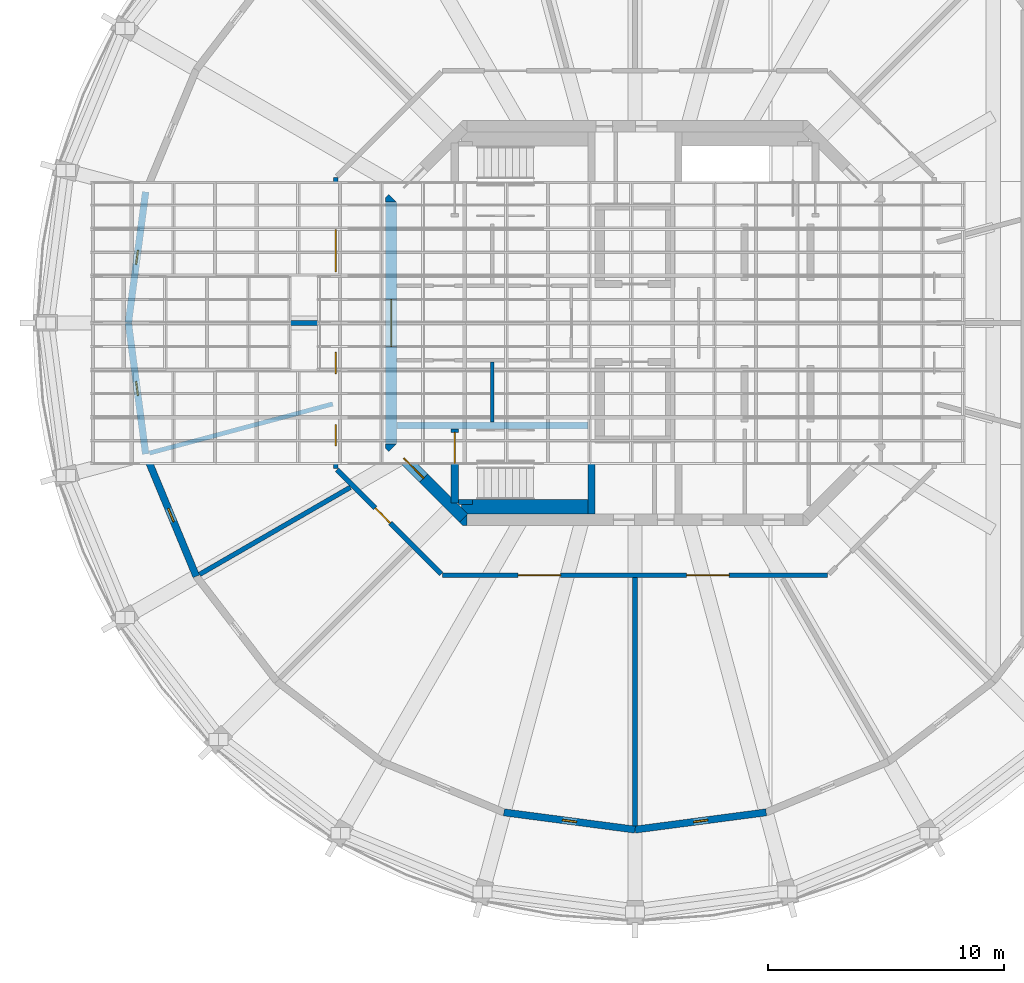
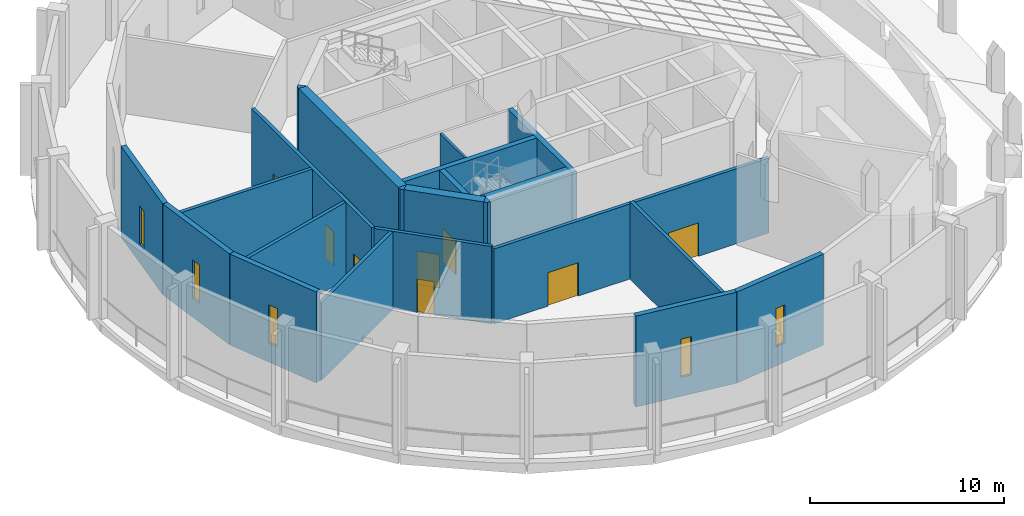
# One storey, part 13 of 19: 23 walls, 9 doors, 5 windows, 14 openings.
"""IFC4 building model written with IfcOpenShell, lengths in metres."""

from ifc_helpers import new_model, si_unit, direction, frame, frame_2d, origin, place, context, subcontext, project, spatial, polyline, rectangle, outline, extrude, material, layer, layer_set, type_object, element, fill, save


model = new_model("IFC4")

# Units and contexts
model_context = context("Model", 3, precision=1e-05, world=origin(), true_north=direction((0.0, 1.0)))
body_context = subcontext(model_context, "Body", "Model", "MODEL_VIEW")
ifc_project = project(units=[si_unit("LENGTHUNIT", "METRE"), si_unit("AREAUNIT", "SQUARE_METRE"), si_unit("VOLUMEUNIT", "CUBIC_METRE"), si_unit("PLANEANGLEUNIT", "RADIAN"), si_unit("MASSUNIT", "GRAM", prefix="KILO")], contexts=[model_context])

# Site, building, storey
site_placement = place(None, origin())
site = spatial("IfcSite", under=ifc_project, at=site_placement, CompositionType="ELEMENT")
building_placement = place(site_placement, origin())
building = spatial("IfcBuilding", under=site, at=building_placement, Name="Torre Triforio", CompositionType="ELEMENT")
storey_placement = place(building_placement, frame((0.0, 0.0, 290.800048828125)))
storey = spatial("IfcBuildingStorey", under=building, at=storey_placement, Name="RF-1", CompositionType="ELEMENT", Elevation=290.800048828125)

# Wall
ifc_material_1 = material(Name="Concrete C40", Category="concrete")
ifc_layer_1 = layer(ifc_material_1, 0.300048828125)
ifc_layer_set_1 = layer_set([ifc_layer_1], Name="Concrete C40")
wall_type_1 = type_object("IfcWallType", Name="Core wall 300 mm C40 EI 120", PredefinedType="SHEAR", material=ifc_layer_set_1)
wall_1_placement = place(storey_placement, frame((-1.85009765625, -8.10009765625, 0.0), z_axis=(0.0, 0.0, 1.0), x_axis=(0.0, 1.0, 0.0)))
element("IfcWall", 1, at=wall_1_placement, inside=storey, type_object=wall_type_1, Name="Core wall", PredefinedType="SHEAR", context=body_context, shape_type="SweptSolid", body=[
    extrude(rectangle(XDim=6.60009765625, YDim=0.300048828125, at=frame_2d((3.300048828125, 0.0))), origin(), (0.0, 0.0, 1.0), 5.719970703125),
])

# Wall, opening, door
ifc_layer_2 = layer(ifc_material_1, 0.5)
ifc_layer_set_2 = layer_set([ifc_layer_2], Name="Concrete C40")
wall_type_2 = type_object("IfcWallType", Name="Core wall 500 mm C40 EI 120", PredefinedType="SHEAR", material=ifc_layer_set_2)
wall_2_placement = place(storey_placement, frame((-10.35009765625, -5.1298828125, -0.280029296875), z_axis=(0.0, 0.0, 1.0), x_axis=(0.0, 1.0, 0.0)))
wall_2 = element("IfcWall", 2, at=wall_2_placement, inside=storey, type_object=wall_type_2, Name="Core wall", PredefinedType="SHEAR", context=body_context, shape_type="SweptSolid", body=[
    extrude(rectangle(XDim=10.259765625, YDim=0.5, at=frame_2d((5.1298828125, 0.0))), origin(), (0.0, 0.0, 1.0), 6.280029296875),
])
opening_1_placement = place(wall_2_placement, frame((4.1298828125, 0.0, 0.280029296875)))
opening_1 = element("IfcOpeningElement", 3, at=opening_1_placement, cuts=wall_2, Name="Opening W-RING", PredefinedType="OPENING", context=body_context, shape_type="SweptSolid", body=[
    extrude(rectangle(XDim=2.0, YDim=2.10009765625, at=frame_2d((1.0, 1.050048828125))), frame((0.0, 0.260009765625, 0.0), z_axis=(0.0, -1.0, 0.0), x_axis=(1.0, 0.0, 0.0)), (0.0, 0.0, 1.0), 0.52001953125),
])
ifc_material_2 = material(Name="Hollow metal fire door leaf")
door_type_1 = type_object("IfcDoorType", Name="Lobby door 2000 x 2100 EI 60", OperationType="DOUBLE_DOOR_SINGLE_SWING", PredefinedType="DOOR", material=ifc_material_2)
door_1_placement = place(opening_1_placement, origin())
door_1 = element("IfcDoor", 4, at=door_1_placement, inside=storey, type_object=door_type_1, Name="Core door W-RING", OperationType="DOUBLE_DOOR_SINGLE_SWING", OverallHeight=2.10009765625, OverallWidth=2.0, PredefinedType="DOOR", context=body_context, shape_type="SweptSolid", body=[
    extrude(rectangle(XDim=2.0, YDim=2.10009765625, at=frame_2d((1.0, 1.050048828125))), frame((0.0, 0.02490234375, 0.0), z_axis=(0.0, -1.0, 0.0), x_axis=(1.0, 0.0, 0.0)), (0.0, 0.0, 1.0), 0.050048828125),
])
fill(opening_1, door_1)

wall_3_placement = place(storey_placement, frame((-7.27685546875, -8.27685546875, -0.280029296875), z_axis=(0.0, 0.0, 1.0), x_axis=(-0.707106781187, 0.707106781187, 0.0)))
wall_3 = element("IfcWall", 5, at=wall_3_placement, inside=storey, type_object=wall_type_2, Name="Core wall", PredefinedType="SHEAR", context=body_context, shape_type="SweptSolid", body=[
    extrude(rectangle(XDim=4.24267578125, YDim=0.5, at=frame_2d((2.121337890625, 0.0))), origin(), (0.0, 0.0, 1.0), 6.280029296875),
])
opening_2_placement = place(wall_3_placement, frame((2.392578125, 0.0, 0.280029296875)))
opening_2 = element("IfcOpeningElement", 6, at=opening_2_placement, cuts=wall_3, Name="Opening ST3-EXIT", PredefinedType="OPENING", context=body_context, shape_type="SweptSolid", body=[
    extrude(rectangle(XDim=1.199951171875, YDim=2.10009765625, at=frame_2d((0.60009765625, 1.050048828125))), frame((0.0, 0.260009765625, 0.0), z_axis=(0.0, -1.0, 0.0), x_axis=(1.0, 0.0, 0.0)), (0.0, 0.0, 1.0), 0.52001953125),
])
door_type_2 = type_object("IfcDoorType", Name="Stair lobby door 1200 x 2100 EI 60", OperationType="NOTDEFINED", PredefinedType="DOOR", material=ifc_material_2)
door_2_placement = place(opening_2_placement, origin())
door_2 = element("IfcDoor", 7, at=door_2_placement, inside=storey, type_object=door_type_2, Name="Core door ST3-EXIT", OperationType="SINGLE_SWING_RIGHT", OverallHeight=2.10009765625, OverallWidth=1.199951171875, PredefinedType="DOOR", context=body_context, shape_type="SweptSolid", body=[
    extrude(rectangle(XDim=1.199951171875, YDim=2.10009765625, at=frame_2d((0.60009765625, 1.050048828125))), frame((0.0, 0.02490234375, 0.0), z_axis=(0.0, -1.0, 0.0), x_axis=(1.0, 0.0, 0.0)), (0.0, 0.0, 1.0), 0.050048828125),
])
fill(opening_2, door_2)

# Walls
wall_4_placement = place(storey_placement, frame((0.0, 0.0, -0.280029296875)))
element("IfcWall", 8, at=wall_4_placement, inside=storey, type_object=wall_type_2, Name="Core wall", PredefinedType="SHEAR", context=body_context, shape_type="SweptSolid", body=[
    extrude(outline(polyline([(-7.30712890625, -8.60009765625), (-7.45361328125, -8.45361328125), (-7.1298828125, -8.1298828125), (-7.1298828125, -8.60009765625), (-7.30712890625, -8.60009765625)])), origin(), (0.0, 0.0, 1.0), 6.280029296875),
])
wall_5_placement = place(storey_placement, frame((0.0, 0.0, -0.280029296875)))
element("IfcWall", 9, at=wall_5_placement, inside=storey, type_object=wall_type_2, Name="Core wall", PredefinedType="SHEAR", context=body_context, shape_type="SweptSolid", body=[
    extrude(outline(polyline([(-10.60009765625, -5.30712890625), (-10.60009765625, -5.1298828125), (-10.1298828125, -5.1298828125), (-10.45361328125, -5.45361328125), (-10.60009765625, -5.30712890625)])), origin(), (0.0, 0.0, 1.0), 6.280029296875),
])
wall_6_placement = place(storey_placement, frame((0.0, 0.0, -0.280029296875)))
element("IfcWall", 10, at=wall_6_placement, inside=storey, type_object=wall_type_2, Name="Core wall", PredefinedType="SHEAR", context=body_context, shape_type="SweptSolid", body=[
    extrude(outline(polyline([(-10.45361328125, 5.45361328125), (-10.1298828125, 5.1298828125), (-10.60009765625, 5.1298828125), (-10.60009765625, 5.30712890625), (-10.45361328125, 5.45361328125)])), origin(), (0.0, 0.0, 1.0), 6.280029296875),
])
ifc_material_3 = material(Name="Block and board partition")
ifc_layer_3 = layer(ifc_material_3, 0.14990234375)
ifc_layer_set_3 = layer_set([ifc_layer_3], Name="Block and board partition")
wall_type_3 = type_object("IfcWallType", Name="Partition 150 mm", PredefinedType="PARTITIONING", material=ifc_layer_set_3)
wall_7_placement = place(storey_placement, frame((-6.050048828125, -4.199951171875, 0.0), z_axis=(0.0, 0.0, 1.0), x_axis=(0.0, 1.0, 0.0)))
element("IfcWall", 11, at=wall_7_placement, inside=storey, type_object=wall_type_3, Name="Partition", PredefinedType="PARTITIONING", context=body_context, shape_type="SweptSolid", body=[
    extrude(rectangle(XDim=2.550048828125, YDim=0.14990234375, at=frame_2d((1.27490234375, 0.0))), origin(), (0.0, 0.0, 1.0), 5.719970703125),
])

# Wall, openings, doors
ifc_material_4 = material(Name="Masonry block", Category="masonry")
ifc_layer_4 = layer(ifc_material_4, 0.199951171875)
ifc_layer_set_4 = layer_set([ifc_layer_4], Name="Masonry block")
wall_type_4 = type_object("IfcWallType", Name="Plant room wall 200 mm block EI 120", PredefinedType="PARTITIONING", material=ifc_layer_set_4)
wall_8_placement = place(storey_placement, frame((8.177001953125, -10.699951171875, 0.0), z_axis=(0.0, 0.0, 1.0), x_axis=(-1.0, 0.0, 0.0)))
wall_8 = element("IfcWall", 12, at=wall_8_placement, inside=storey, type_object=wall_type_4, Name="Partition 1", PredefinedType="PARTITIONING", context=body_context, shape_type="SweptSolid", body=[
    extrude(rectangle(XDim=16.35400390625, YDim=0.199951171875, at=frame_2d((8.177001953125, 0.0))), origin(), (0.0, 0.0, 1.0), 4.719970703125),
])
opening_3_placement = place(wall_8_placement, frame((11.34033203125, 0.0, 0.0)))
opening_3 = element("IfcOpeningElement", 13, at=opening_3_placement, cuts=wall_8, Name="Opening CR1-09", PredefinedType="OPENING", context=body_context, shape_type="SweptSolid", body=[
    extrude(rectangle(XDim=1.800048828125, YDim=2.10009765625, at=frame_2d((0.89990234375, 1.050048828125))), frame((0.0, 0.10986328125, 0.0), z_axis=(0.0, -1.0, 0.0), x_axis=(1.0, 0.0, 0.0)), (0.0, 0.0, 1.0), 0.219970703125),
])
opening_4_placement = place(wall_8_placement, frame((4.184326171875, 0.0, 0.0)))
opening_4 = element("IfcOpeningElement", 14, at=opening_4_placement, cuts=wall_8, Name="Opening CR1-10", PredefinedType="OPENING", context=body_context, shape_type="SweptSolid", body=[
    extrude(rectangle(XDim=1.800048828125, YDim=2.10009765625, at=frame_2d((0.89990234375, 1.050048828125))), frame((0.0, 0.10986328125, 0.0), z_axis=(0.0, -1.0, 0.0), x_axis=(1.0, 0.0, 0.0)), (0.0, 0.0, 1.0), 0.219970703125),
])
door_type_3 = type_object("IfcDoorType", Name="Door 1800 x 2100 double leaf EI 60", OperationType="DOUBLE_DOOR_SINGLE_SWING", PredefinedType="DOOR", material=ifc_material_2)
door_3_placement = place(opening_3_placement, origin())
door_3 = element("IfcDoor", 15, at=door_3_placement, inside=storey, type_object=door_type_3, Name="Door CR1-09", OperationType="DOUBLE_DOOR_SINGLE_SWING", OverallHeight=2.10009765625, OverallWidth=1.800048828125, PredefinedType="DOOR", context=body_context, shape_type="SweptSolid", body=[
    extrude(rectangle(XDim=1.800048828125, YDim=2.10009765625, at=frame_2d((0.89990234375, 1.050048828125))), frame((0.0, 0.02490234375, 0.0), z_axis=(0.0, -1.0, 0.0), x_axis=(1.0, 0.0, 0.0)), (0.0, 0.0, 1.0), 0.050048828125),
])
fill(opening_3, door_3)
door_4_placement = place(opening_4_placement, origin())
door_4 = element("IfcDoor", 16, at=door_4_placement, inside=storey, type_object=door_type_3, Name="Door CR1-10", OperationType="DOUBLE_DOOR_SINGLE_SWING", OverallHeight=2.10009765625, OverallWidth=1.800048828125, PredefinedType="DOOR", context=body_context, shape_type="SweptSolid", body=[
    extrude(rectangle(XDim=1.800048828125, YDim=2.10009765625, at=frame_2d((0.89990234375, 1.050048828125))), frame((0.0, 0.02490234375, 0.0), z_axis=(0.0, -1.0, 0.0), x_axis=(1.0, 0.0, 0.0)), (0.0, 0.0, 1.0), 0.050048828125),
])
fill(opening_4, door_4)

# Wall, opening, door
wall_9_placement = place(storey_placement, frame((-8.2265625, -10.650390625, 0.0), z_axis=(0.0, 0.0, 1.0), x_axis=(-0.707106781187, 0.707106781187, 0.0)))
wall_9 = element("IfcWall", 17, at=wall_9_placement, inside=storey, type_object=wall_type_4, Name="Partition 2", PredefinedType="PARTITIONING", context=body_context, shape_type="SweptSolid", body=[
    extrude(rectangle(XDim=6.25634765625, YDim=0.199951171875, at=frame_2d((3.128173828125, 0.0))), origin(), (0.0, 0.0, 1.0), 4.869873046875),
])
opening_5_placement = place(wall_9_placement, frame((3.05322265625, 0.0, 0.0)))
opening_5 = element("IfcOpeningElement", 18, at=opening_5_placement, cuts=wall_9, Name="Opening CR1-08", PredefinedType="OPENING", context=body_context, shape_type="SweptSolid", body=[
    extrude(rectangle(XDim=0.89990234375, YDim=2.10009765625, at=frame_2d((0.449951171875, 1.050048828125))), frame((0.0, 0.10986328125, 0.0), z_axis=(0.0, -1.0, 0.0), x_axis=(1.0, 0.0, 0.0)), (0.0, 0.0, 1.0), 0.219970703125),
])
door_type_4 = type_object("IfcDoorType", Name="Door 900 x 2100 single leaf EI 60", OperationType="NOTDEFINED", PredefinedType="DOOR", material=ifc_material_2)
door_5_placement = place(opening_5_placement, origin())
door_5 = element("IfcDoor", 19, at=door_5_placement, inside=storey, type_object=door_type_4, Name="Door CR1-08", OperationType="SINGLE_SWING_LEFT", OverallHeight=2.10009765625, OverallWidth=0.89990234375, PredefinedType="DOOR", context=body_context, shape_type="SweptSolid", body=[
    extrude(rectangle(XDim=0.89990234375, YDim=2.10009765625, at=frame_2d((0.449951171875, 1.050048828125))), frame((0.0, 0.02490234375, 0.0), z_axis=(0.0, -1.0, 0.0), x_axis=(1.0, 0.0, 0.0)), (0.0, 0.0, 1.0), 0.050048828125),
])
fill(opening_5, door_5)

# Wall, openings, doors
wall_10_placement = place(storey_placement, frame((-12.699951171875, -6.177001953125, 0.0), z_axis=(0.0, 0.0, 1.0), x_axis=(0.0, 1.0, 0.0)))
wall_10 = element("IfcWall", 20, at=wall_10_placement, inside=storey, type_object=wall_type_4, Name="Partition 3", PredefinedType="PARTITIONING", context=body_context, shape_type="SweptSolid", body=[
    extrude(rectangle(XDim=12.35400390625, YDim=0.199951171875, at=frame_2d((6.177001953125, 0.0))), origin(), (0.0, 0.0, 1.0), 4.869873046875),
])
opening_6_placement = place(wall_10_placement, frame((8.34033203125, 0.0, 0.0)))
opening_6 = element("IfcOpeningElement", 21, at=opening_6_placement, cuts=wall_10, Name="Opening CR1-05", PredefinedType="OPENING", context=body_context, shape_type="SweptSolid", body=[
    extrude(rectangle(XDim=1.800048828125, YDim=2.10009765625, at=frame_2d((0.89990234375, 1.050048828125))), frame((0.0, 0.10986328125, 0.0), z_axis=(0.0, -1.0, 0.0), x_axis=(1.0, 0.0, 0.0)), (0.0, 0.0, 1.0), 0.219970703125),
])
opening_7_placement = place(wall_10_placement, frame((4.024658203125, 0.0, 0.0)))
opening_7 = element("IfcOpeningElement", 22, at=opening_7_placement, cuts=wall_10, Name="Opening CR1-06", PredefinedType="OPENING", context=body_context, shape_type="SweptSolid", body=[
    extrude(rectangle(XDim=0.89990234375, YDim=2.10009765625, at=frame_2d((0.449951171875, 1.050048828125))), frame((0.0, 0.10986328125, 0.0), z_axis=(0.0, -1.0, 0.0), x_axis=(1.0, 0.0, 0.0)), (0.0, 0.0, 1.0), 0.219970703125),
])
opening_8_placement = place(wall_10_placement, frame((0.9619140625, 0.0, 0.0)))
opening_8 = element("IfcOpeningElement", 23, at=opening_8_placement, cuts=wall_10, Name="Opening CR1-07", PredefinedType="OPENING", context=body_context, shape_type="SweptSolid", body=[
    extrude(rectangle(XDim=0.89990234375, YDim=2.10009765625, at=frame_2d((0.449951171875, 1.050048828125))), frame((0.0, 0.10986328125, 0.0), z_axis=(0.0, -1.0, 0.0), x_axis=(1.0, 0.0, 0.0)), (0.0, 0.0, 1.0), 0.219970703125),
])
door_6_placement = place(opening_6_placement, origin())
door_6 = element("IfcDoor", 24, at=door_6_placement, inside=storey, type_object=door_type_3, Name="Door CR1-05", OperationType="DOUBLE_DOOR_SINGLE_SWING", OverallHeight=2.10009765625, OverallWidth=1.800048828125, PredefinedType="DOOR", context=body_context, shape_type="SweptSolid", body=[
    extrude(rectangle(XDim=1.800048828125, YDim=2.10009765625, at=frame_2d((0.89990234375, 1.050048828125))), frame((0.0, 0.02490234375, 0.0), z_axis=(0.0, -1.0, 0.0), x_axis=(1.0, 0.0, 0.0)), (0.0, 0.0, 1.0), 0.050048828125),
])
fill(opening_6, door_6)
door_7_placement = place(opening_7_placement, origin())
door_7 = element("IfcDoor", 25, at=door_7_placement, inside=storey, type_object=door_type_4, Name="Door CR1-06", OperationType="SINGLE_SWING_LEFT", OverallHeight=2.10009765625, OverallWidth=0.89990234375, PredefinedType="DOOR", context=body_context, shape_type="SweptSolid", body=[
    extrude(rectangle(XDim=0.89990234375, YDim=2.10009765625, at=frame_2d((0.449951171875, 1.050048828125))), frame((0.0, 0.02490234375, 0.0), z_axis=(0.0, -1.0, 0.0), x_axis=(1.0, 0.0, 0.0)), (0.0, 0.0, 1.0), 0.050048828125),
])
fill(opening_7, door_7)
door_8_placement = place(opening_8_placement, origin())
door_8 = element("IfcDoor", 26, at=door_8_placement, inside=storey, type_object=door_type_4, Name="Door CR1-07", OperationType="SINGLE_SWING_LEFT", OverallHeight=2.10009765625, OverallWidth=0.89990234375, PredefinedType="DOOR", context=body_context, shape_type="SweptSolid", body=[
    extrude(rectangle(XDim=0.89990234375, YDim=2.10009765625, at=frame_2d((0.449951171875, 1.050048828125))), frame((0.0, 0.02490234375, 0.0), z_axis=(0.0, -1.0, 0.0), x_axis=(1.0, 0.0, 0.0)), (0.0, 0.0, 1.0), 0.050048828125),
])
fill(opening_8, door_8)

# Walls
wall_11_placement = place(storey_placement, frame((-12.800048828125, 0.0, 0.0), z_axis=(0.0, 0.0, 1.0), x_axis=(-1.0, 0.0, 0.0)))
element("IfcWall", 27, at=wall_11_placement, inside=storey, type_object=wall_type_4, Name="Partition 16", PredefinedType="PARTITIONING", context=body_context, shape_type="SweptSolid", body=[
    extrude(rectangle(XDim=8.53662109375, YDim=0.199951171875, at=frame_2d((4.268310546875, 0.0))), origin(), (0.0, 0.0, 1.0), 4.869873046875),
])
wall_12_placement = place(storey_placement, frame((-12.82568359375, -3.4365234375, 0.0), z_axis=(0.0, 0.0, 1.0), x_axis=(-0.965926008839, -0.258818363815, 0.0)))
element("IfcWall", 28, at=wall_12_placement, inside=storey, type_object=wall_type_4, Name="Partition 17", PredefinedType="PARTITIONING", context=body_context, shape_type="SweptSolid", body=[
    extrude(rectangle(XDim=8.05859375, YDim=0.199951171875, at=frame_2d((4.029296875, 0.0))), origin(), (0.0, 0.0, 1.0), 4.869873046875),
])
wall_13_placement = place(storey_placement, frame((-12.080078125, -6.974365234375, 0.0), z_axis=(0.0, 0.0, 1.0), x_axis=(-0.866011682883, -0.500023764546, 0.0)))
element("IfcWall", 29, at=wall_13_placement, inside=storey, type_object=wall_type_4, Name="Partition 18", PredefinedType="PARTITIONING", context=body_context, shape_type="SweptSolid", body=[
    extrude(rectangle(XDim=7.387939453125, YDim=0.199951171875, at=frame_2d((3.69384765625, 0.0))), origin(), (0.0, 0.0, 1.0), 4.869873046875),
])
wall_14_placement = place(storey_placement, frame((0.0, -10.800048828125, 0.0), z_axis=(0.0, 0.0, 1.0), x_axis=(0.0, -1.0, 0.0)))
element("IfcWall", 30, at=wall_14_placement, inside=storey, type_object=wall_type_4, Name="Partition 20", PredefinedType="PARTITIONING", context=body_context, shape_type="SweptSolid", body=[
    extrude(rectangle(XDim=10.53662109375, YDim=0.199951171875, at=frame_2d((5.268310546875, 0.0))), origin(), (0.0, 0.0, 1.0), 4.869873046875),
])
ifc_layer_5 = layer(ifc_material_1, 0.300048828125)
ifc_layer_set_5 = layer_set([ifc_layer_5], Name="Concrete C40")
wall_type_5 = type_object("IfcWallType", Name="Shaft wall 300 mm C40 EI 120", PredefinedType="SOLIDWALL", material=ifc_layer_set_5)
wall_15_placement = place(storey_placement, frame((-10.10009765625, -4.35009765625, 0.0), z_axis=(0.0, 0.0, 1.0), x_axis=(1.0, 0.0, 0.0)))
element("IfcWall", 31, at=wall_15_placement, inside=storey, type_object=wall_type_5, Name="Shaft wall", PredefinedType="SOLIDWALL", context=body_context, shape_type="SweptSolid", body=[
    extrude(rectangle(XDim=8.10009765625, YDim=0.300048828125, at=frame_2d((4.050048828125, 0.0))), origin(), (0.0, 0.0, 1.0), 5.719970703125),
])
ifc_layer_6 = layer(ifc_material_1, 0.199951171875)
ifc_layer_set_6 = layer_set([ifc_layer_6], Name="Concrete C40")
wall_type_6 = type_object("IfcWallType", Name="Stair wall 200 mm C40 EI 120", PredefinedType="SHEAR", material=ifc_layer_set_6)
wall_16_placement = place(storey_placement, frame((-7.5, -7.60009765625, 0.0), z_axis=(0.0, 0.0, 1.0), x_axis=(1.0, 0.0, 0.0)))
element("IfcWall", 32, at=wall_16_placement, inside=storey, type_object=wall_type_6, Name="Stair wall", PredefinedType="SHEAR", context=body_context, shape_type="SweptSolid", body=[
    extrude(rectangle(XDim=0.60009765625, YDim=0.199951171875, at=frame_2d((0.300048828125, 0.0))), origin(), (0.0, 0.0, 1.0), 5.719970703125),
])

# Wall, opening, door
ifc_layer_7 = layer(ifc_material_1, 0.300048828125)
ifc_layer_set_7 = layer_set([ifc_layer_7], Name="Concrete C40")
wall_type_7 = type_object("IfcWallType", Name="Stair wall 300 mm C40 EI 120", PredefinedType="SHEAR", material=ifc_layer_set_7)
wall_17_placement = place(storey_placement, frame((-7.64990234375, -7.639892578125, 0.0), z_axis=(0.0, 0.0, 1.0), x_axis=(0.0, 1.0, 0.0)))
wall_17 = element("IfcWall", 33, at=wall_17_placement, inside=storey, type_object=wall_type_7, Name="Stair wall", PredefinedType="SHEAR", context=body_context, shape_type="SweptSolid", body=[
    extrude(rectangle(XDim=3.139892578125, YDim=0.300048828125, at=frame_2d((1.56982421875, 0.0))), origin(), (0.0, 0.0, 1.0), 5.719970703125),
])
opening_9_placement = place(wall_17_placement, frame((1.679931640625, 0.0, 0.0)))
opening_9 = element("IfcOpeningElement", 34, at=opening_9_placement, cuts=wall_17, Name="Opening ST3-STA", PredefinedType="OPENING", context=body_context, shape_type="SweptSolid", body=[
    extrude(rectangle(XDim=1.320068359375, YDim=2.10009765625, at=frame_2d((0.66015625, 1.050048828125))), frame((0.0, 0.159912109375, 0.0), z_axis=(0.0, -1.0, 0.0), x_axis=(1.0, 0.0, 0.0)), (0.0, 0.0, 1.0), 0.320068359375),
])
door_type_5 = type_object("IfcDoorType", Name="Stair door 1320 x 2100 EI 90", OperationType="DOUBLE_DOOR_SINGLE_SWING", PredefinedType="DOOR", material=ifc_material_2)
door_9_placement = place(opening_9_placement, origin())
door_9 = element("IfcDoor", 35, at=door_9_placement, inside=storey, type_object=door_type_5, Name="Core door ST3-ST", OperationType="DOUBLE_DOOR_SINGLE_SWING", OverallHeight=2.10009765625, OverallWidth=1.320068359375, PredefinedType="DOOR", context=body_context, shape_type="SweptSolid", body=[
    extrude(rectangle(XDim=1.320068359375, YDim=2.10009765625, at=frame_2d((0.66015625, 1.050048828125))), frame((0.0, 0.02490234375, 0.0), z_axis=(0.0, -1.0, 0.0), x_axis=(1.0, 0.0, 0.0)), (0.0, 0.0, 1.0), 0.050048828125),
])
fill(opening_9, door_9)

# Wall
ifc_layer_8 = layer(ifc_material_1, 0.60009765625)
ifc_layer_set_8 = layer_set([ifc_layer_8], Name="Concrete C40")
wall_type_8 = type_object("IfcWallType", Name="Stair wall 600 mm C40 EI 120", PredefinedType="SHEAR", material=ifc_layer_set_8)
wall_18_placement = place(storey_placement, frame((-7.3701171875, -7.800048828125, 0.0), z_axis=(0.0, 0.0, 1.0), x_axis=(1.0, 0.0, 0.0)))
element("IfcWall", 36, at=wall_18_placement, inside=storey, type_object=wall_type_8, Name="Stair wall", PredefinedType="SHEAR", context=body_context, shape_type="SweptSolid", body=[
    extrude(rectangle(XDim=5.3701171875, YDim=0.60009765625, at=frame_2d((2.68505859375, 0.0))), origin(), (0.0, 0.0, 1.0), 5.719970703125),
])

# Wall, opening, window
ifc_material_5 = material(Name="Limestone cladding", Category="masonry")
ifc_layer_9 = layer(ifc_material_5, 0.10009765625)
ifc_layer_10 = layer(ifc_material_1, 0.199951171875)
ifc_layer_set_9 = layer_set([ifc_layer_9, ifc_layer_10], Name="Limestone cladding / Concrete C40")
wall_type_9 = type_object("IfcWallType", Name="Stone-faced composite wall 300", PredefinedType="STANDARD", material=ifc_layer_set_9)
wall_19_placement = place(storey_placement, frame((-20.767333984375, 5.564697265625, 0.0), z_axis=(0.0, 0.0, 1.0), x_axis=(-0.130536651449, -0.991443484334, 0.0)))
wall_19 = element("IfcWall", 37, at=wall_19_placement, inside=storey, type_object=wall_type_9, Name="Crown wall RF-1 bay 12", PredefinedType="STANDARD", context=body_context, shape_type="SweptSolid", body=[
    extrude(outline(polyline([(0.0, 0.0), (5.61279296875, 0.0), (5.612548828125, 5.719970703125), (0.0, 5.719970703125), (0.0, 0.0)])), frame((0.0, 0.14990234375, 0.0), z_axis=(0.0, -1.0, 0.0), x_axis=(1.0, 0.0, 0.0)), (0.0, 0.0, 1.0), 0.300048828125),
])
opening_10_placement = place(wall_19_placement, frame((2.50634765625, 0.0, 1.199951171875)))
opening_10 = element("IfcOpeningElement", 38, at=opening_10_placement, cuts=wall_19, Name="Opening CR1-W12", PredefinedType="OPENING", context=body_context, shape_type="SweptSolid", body=[
    extrude(rectangle(XDim=0.60009765625, YDim=2.39990234375, at=frame_2d((0.300048828125, 1.199951171875))), frame((0.0, 0.159912109375, 0.0), z_axis=(0.0, -1.0, 0.0), x_axis=(1.0, 0.0, 0.0)), (0.0, 0.0, 1.0), 0.320068359375),
])
ifc_material_6 = material(Name="Aluminium frame with clear double glazing", Category="aluminium")
window_type = type_object("IfcWindowType", Name="Crown lancet slit window 600 x 2400", PartitioningType="SINGLE_PANEL", PredefinedType="WINDOW", material=ifc_material_6)
window_1_placement = place(opening_10_placement, origin())
window_1 = element("IfcWindow", 39, at=window_1_placement, inside=storey, type_object=window_type, Name="Slit window RF-1 bay 12", OverallHeight=2.39990234375, OverallWidth=0.60009765625, PartitioningType="SINGLE_PANEL", PredefinedType="WINDOW", context=body_context, shape_type="SweptSolid", body=[
    extrude(rectangle(XDim=0.60009765625, YDim=2.39990234375, at=frame_2d((0.300048828125, 1.199951171875))), frame((0.0, 0.030029296875, 0.0), z_axis=(0.0, -1.0, 0.0), x_axis=(1.0, 0.0, 0.0)), (0.0, 0.0, 1.0), 0.06005859375),
])
fill(opening_10, window_1)

wall_20_placement = place(storey_placement, frame((-21.5, 0.0, 0.0), z_axis=(0.0, 0.0, 1.0), x_axis=(0.130536651449, -0.991443484334, 0.0)))
wall_20 = element("IfcWall", 40, at=wall_20_placement, inside=storey, type_object=wall_type_9, Name="Crown wall RF-1 bay 13", PredefinedType="STANDARD", context=body_context, shape_type="SweptSolid", body=[
    extrude(outline(polyline([(0.0, 0.0), (5.61279296875, 0.0), (5.612548828125, 5.719970703125), (0.0, 5.719970703125), (0.0, 0.0)])), frame((0.0, 0.14990234375, 0.0), z_axis=(0.0, -1.0, 0.0), x_axis=(1.0, 0.0, 0.0)), (0.0, 0.0, 1.0), 0.300048828125),
])
opening_11_placement = place(wall_20_placement, frame((2.50634765625, 0.0, 1.199951171875)))
opening_11 = element("IfcOpeningElement", 41, at=opening_11_placement, cuts=wall_20, Name="Opening CR1-W13", PredefinedType="OPENING", context=body_context, shape_type="SweptSolid", body=[
    extrude(rectangle(XDim=0.60009765625, YDim=2.39990234375, at=frame_2d((0.300048828125, 1.199951171875))), frame((0.0, 0.159912109375, 0.0), z_axis=(0.0, -1.0, 0.0), x_axis=(1.0, 0.0, 0.0)), (0.0, 0.0, 1.0), 0.320068359375),
])
window_2_placement = place(opening_11_placement, origin())
window_2 = element("IfcWindow", 42, at=window_2_placement, inside=storey, type_object=window_type, Name="Slit window RF-1 bay 13", OverallHeight=2.39990234375, OverallWidth=0.60009765625, PartitioningType="SINGLE_PANEL", PredefinedType="WINDOW", context=body_context, shape_type="SweptSolid", body=[
    extrude(rectangle(XDim=0.60009765625, YDim=2.39990234375, at=frame_2d((0.300048828125, 1.199951171875))), frame((0.0, 0.030029296875, 0.0), z_axis=(0.0, -1.0, 0.0), x_axis=(1.0, 0.0, 0.0)), (0.0, 0.0, 1.0), 0.06005859375),
])
fill(opening_11, window_2)

wall_21_placement = place(storey_placement, frame((-20.767333984375, -5.564697265625, 0.0), z_axis=(0.0, 0.0, 1.0), x_axis=(0.382702670405, -0.92387156362, 0.0)))
wall_21 = element("IfcWall", 43, at=wall_21_placement, inside=storey, type_object=wall_type_9, Name="Crown wall RF-1 bay 14", PredefinedType="STANDARD", context=body_context, shape_type="SweptSolid", body=[
    extrude(outline(polyline([(0.0, 0.0), (5.612548828125, 0.0), (5.612548828125, 5.719970703125), (0.0, 5.719970703125), (0.0, 0.0)])), frame((0.0, 0.14990234375, 0.0), z_axis=(0.0, -1.0, 0.0), x_axis=(1.0, 0.0, 0.0)), (0.0, 0.0, 1.0), 0.300048828125),
])
opening_12_placement = place(wall_21_placement, frame((2.50634765625, 0.0, 1.199951171875)))
opening_12 = element("IfcOpeningElement", 44, at=opening_12_placement, cuts=wall_21, Name="Opening CR1-W14", PredefinedType="OPENING", context=body_context, shape_type="SweptSolid", body=[
    extrude(rectangle(XDim=0.60009765625, YDim=2.39990234375, at=frame_2d((0.300048828125, 1.199951171875))), frame((0.0, 0.159912109375, 0.0), z_axis=(0.0, -1.0, 0.0), x_axis=(1.0, 0.0, 0.0)), (0.0, 0.0, 1.0), 0.320068359375),
])
window_3_placement = place(opening_12_placement, origin())
window_3 = element("IfcWindow", 45, at=window_3_placement, inside=storey, type_object=window_type, Name="Slit window RF-1 bay 14", OverallHeight=2.39990234375, OverallWidth=0.60009765625, PartitioningType="SINGLE_PANEL", PredefinedType="WINDOW", context=body_context, shape_type="SweptSolid", body=[
    extrude(rectangle(XDim=0.60009765625, YDim=2.39990234375, at=frame_2d((0.300048828125, 1.199951171875))), frame((0.0, 0.030029296875, 0.0), z_axis=(0.0, -1.0, 0.0), x_axis=(1.0, 0.0, 0.0)), (0.0, 0.0, 1.0), 0.06005859375),
])
fill(opening_12, window_3)

wall_22_placement = place(storey_placement, frame((-5.564697265625, -20.767333984375, 0.0), z_axis=(0.0, 0.0, 1.0), x_axis=(0.991443484334, -0.130536651449, 0.0)))
wall_22 = element("IfcWall", 46, at=wall_22_placement, inside=storey, type_object=wall_type_9, Name="Crown wall RF-1 bay 18", PredefinedType="STANDARD", context=body_context, shape_type="SweptSolid", body=[
    extrude(outline(polyline([(0.0, 0.0), (5.61279296875, 0.0), (5.612548828125, 5.719970703125), (0.0, 5.719970703125), (0.0, 0.0)])), frame((0.0, 0.14990234375, 0.0), z_axis=(0.0, -1.0, 0.0), x_axis=(1.0, 0.0, 0.0)), (0.0, 0.0, 1.0), 0.300048828125),
])
opening_13_placement = place(wall_22_placement, frame((2.50634765625, 0.0, 1.199951171875)))
opening_13 = element("IfcOpeningElement", 47, at=opening_13_placement, cuts=wall_22, Name="Opening CR1-W18", PredefinedType="OPENING", context=body_context, shape_type="SweptSolid", body=[
    extrude(rectangle(XDim=0.60009765625, YDim=2.39990234375, at=frame_2d((0.300048828125, 1.199951171875))), frame((0.0, 0.159912109375, 0.0), z_axis=(0.0, -1.0, 0.0), x_axis=(1.0, 0.0, 0.0)), (0.0, 0.0, 1.0), 0.320068359375),
])
window_4_placement = place(opening_13_placement, origin())
window_4 = element("IfcWindow", 48, at=window_4_placement, inside=storey, type_object=window_type, Name="Slit window RF-1 bay 18", OverallHeight=2.39990234375, OverallWidth=0.60009765625, PartitioningType="SINGLE_PANEL", PredefinedType="WINDOW", context=body_context, shape_type="SweptSolid", body=[
    extrude(rectangle(XDim=0.60009765625, YDim=2.39990234375, at=frame_2d((0.300048828125, 1.199951171875))), frame((0.0, 0.030029296875, 0.0), z_axis=(0.0, -1.0, 0.0), x_axis=(1.0, 0.0, 0.0)), (0.0, 0.0, 1.0), 0.06005859375),
])
fill(opening_13, window_4)

wall_23_placement = place(storey_placement, frame((0.0, -21.5, 0.0), z_axis=(0.0, 0.0, 1.0), x_axis=(0.991443484334, 0.130536651449, 0.0)))
wall_23 = element("IfcWall", 49, at=wall_23_placement, inside=storey, type_object=wall_type_9, Name="Crown wall RF-1 bay 19", PredefinedType="STANDARD", context=body_context, shape_type="SweptSolid", body=[
    extrude(outline(polyline([(0.0, 0.0), (5.61279296875, 0.0), (5.612548828125, 5.719970703125), (0.0, 5.719970703125), (0.0, 0.0)])), frame((0.0, 0.14990234375, 0.0), z_axis=(0.0, -1.0, 0.0), x_axis=(1.0, 0.0, 0.0)), (0.0, 0.0, 1.0), 0.300048828125),
])
opening_14_placement = place(wall_23_placement, frame((2.50634765625, 0.0, 1.199951171875)))
opening_14 = element("IfcOpeningElement", 50, at=opening_14_placement, cuts=wall_23, Name="Opening CR1-W19", PredefinedType="OPENING", context=body_context, shape_type="SweptSolid", body=[
    extrude(rectangle(XDim=0.60009765625, YDim=2.39990234375, at=frame_2d((0.300048828125, 1.199951171875))), frame((0.0, 0.159912109375, 0.0), z_axis=(0.0, -1.0, 0.0), x_axis=(1.0, 0.0, 0.0)), (0.0, 0.0, 1.0), 0.320068359375),
])
window_5_placement = place(opening_14_placement, origin())
window_5 = element("IfcWindow", 51, at=window_5_placement, inside=storey, type_object=window_type, Name="Slit window RF-1 bay 19", OverallHeight=2.39990234375, OverallWidth=0.60009765625, PartitioningType="SINGLE_PANEL", PredefinedType="WINDOW", context=body_context, shape_type="SweptSolid", body=[
    extrude(rectangle(XDim=0.60009765625, YDim=2.39990234375, at=frame_2d((0.300048828125, 1.199951171875))), frame((0.0, 0.030029296875, 0.0), z_axis=(0.0, -1.0, 0.0), x_axis=(1.0, 0.0, 0.0)), (0.0, 0.0, 1.0), 0.06005859375),
])
fill(opening_14, window_5)

save(model, "model.ifc")
